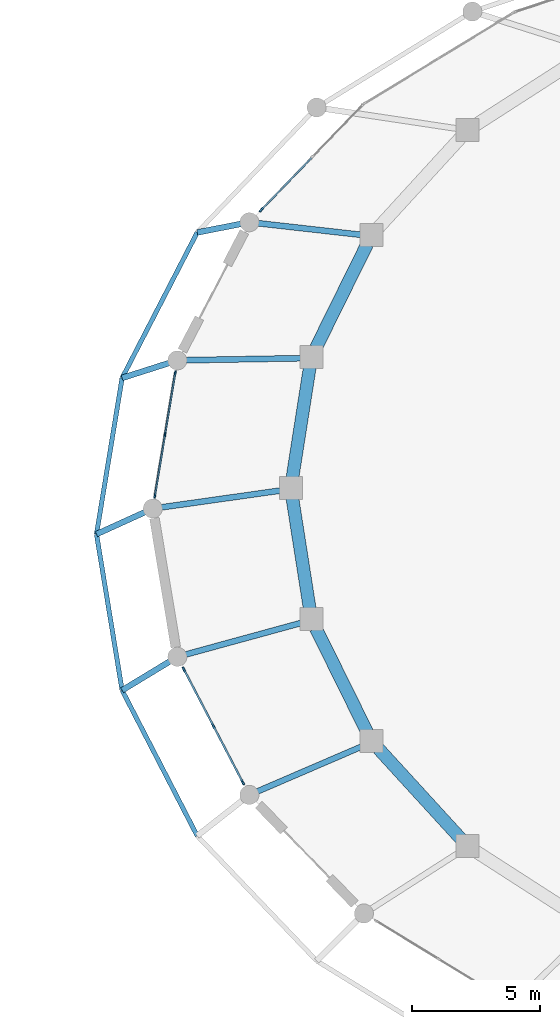
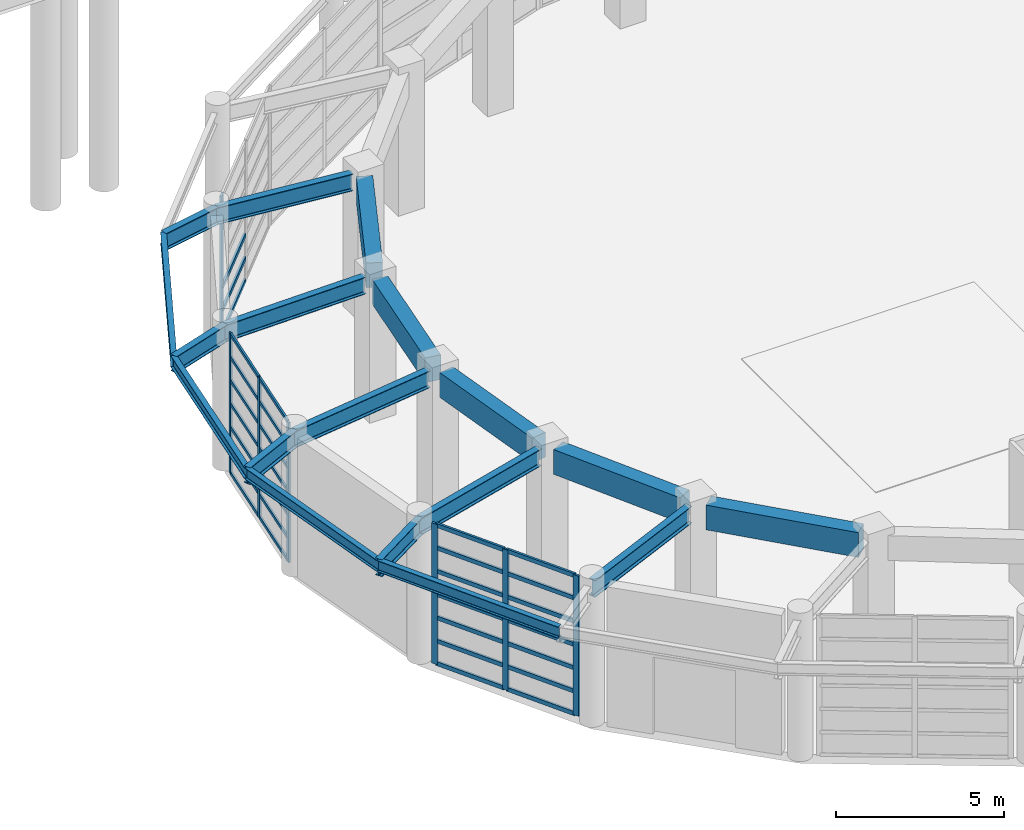
# One storey, part 5 of 52: 38 members, 18 beams, 3 elements without a shape of their own.
"""IFC4 building model written with IfcOpenShell, lengths in metres."""

from ifc_helpers import new_model, si_unit, direction, frame, origin, origin_2d, place, context, subcontext, project, spatial, rectangle, i_section, extrude, material, material_profile, profile_set, type_object, element, aggregate, save


model = new_model("IFC4")

# Units and contexts
model_context = context("Model", 3, precision=1e-05, world=origin(), true_north=direction((0.0, 1.0)))
body_context = subcontext(model_context, "Body", "Model", "MODEL_VIEW")
ifc_project = project(units=[si_unit("LENGTHUNIT", "METRE"), si_unit("AREAUNIT", "SQUARE_METRE"), si_unit("VOLUMEUNIT", "CUBIC_METRE"), si_unit("PLANEANGLEUNIT", "RADIAN"), si_unit("MASSUNIT", "GRAM", prefix="KILO")], contexts=[model_context])

# Site, building, storey
site_placement = place(None, origin())
site = spatial("IfcSite", under=ifc_project, at=site_placement, CompositionType="ELEMENT")
building_placement = place(site_placement, origin())
building = spatial("IfcBuilding", under=site, at=building_placement, Name="Parian Resonance Hall", CompositionType="ELEMENT")
storey_placement = place(building_placement, origin())
storey = spatial("IfcBuildingStorey", under=building, at=storey_placement, Name="L00", CompositionType="ELEMENT", Elevation=0.0)

# Beams
ifc_material_1 = material(Name="Concrete C40/50", Category="concrete")
ifc_material_profile_1 = material_profile(ifc_material_1, rectangle(XDim=0.5, YDim=0.89990234375, at=origin_2d()), Name="RC-BM-500x900")
ifc_profile_set_1 = profile_set([ifc_material_profile_1], Name="Concrete C40/50")
beam_type_1 = type_object("IfcBeamType", Name="BM-RC500x900", PredefinedType="USERDEFINED", material=ifc_profile_set_1)
beam_1_placement = place(storey_placement, frame((23.384765625, 53.541259765625, 4.679931640625), z_axis=(-0.442697851544, -0.896670849441, 0.0), x_axis=(0.896670849441, -0.442697851544, 0.0)))
element("IfcBeam", 1, at=beam_1_placement, inside=storey, type_object=beam_type_1, Name="Concert hall drum ring beam L00-11", ObjectType="GIRDER", PredefinedType="USERDEFINED", context=body_context, shape_type="SweptSolid", body=[
    extrude(rectangle(XDim=0.5, YDim=0.89990234375, at=origin_2d()), origin(), (0.0, 0.0, 1.0), 4.525390625),
])
for number, where, z_axis, x_axis, name in (
    (2, (21.14208984375, 48.7294921875, 4.679931640625), (-0.155033793728, -0.987909167283, 0.0), (0.987909167283, -0.155033793728, 0.0), "Concert hall drum ring beam L00-12"),
    (3, (20.4619140625, 43.604736328125, 4.679931640625), (0.155033793728, -0.987909167283, 0.0), (0.987909167283, 0.155033793728, 0.0), "Concert hall drum ring beam L00-13"),
):
    element("IfcBeam", number, at=place(storey_placement, frame(where, z_axis=z_axis, x_axis=x_axis)), inside=storey, type_object=beam_type_1, Name=name, ObjectType="GIRDER", PredefinedType="USERDEFINED", context=body_context, shape_type="SweptSolid", body=[
        extrude(rectangle(XDim=0.5, YDim=0.89990234375, at=origin_2d()), origin(), (0.0, 0.0, 1.0), 4.38720703125),
    ])
beam_2_placement = place(storey_placement, frame((21.38134765625, 38.5166015625, 4.679931640625), z_axis=(0.442697851544, -0.896670849441, 0.0), x_axis=(0.896670849441, 0.442697851544, 0.0)))
element("IfcBeam", 4, at=beam_2_placement, inside=storey, type_object=beam_type_1, Name="Concert hall drum ring beam L00-14", ObjectType="GIRDER", PredefinedType="USERDEFINED", context=body_context, shape_type="SweptSolid", body=[
    extrude(rectangle(XDim=0.5, YDim=0.89990234375, at=origin_2d()), origin(), (0.0, 0.0, 1.0), 4.525390625),
])
beam_3_placement = place(storey_placement, frame((23.831787109375, 33.8046875, 4.679931640625), z_axis=(0.674892190981, -0.737916343872, 0.0), x_axis=(0.737916343872, 0.674892190981, 0.0)))
element("IfcBeam", 5, at=beam_3_placement, inside=storey, type_object=beam_type_1, Name="Concert hall drum ring beam L00-15", ObjectType="GIRDER", PredefinedType="USERDEFINED", context=body_context, shape_type="SweptSolid", body=[
    extrude(rectangle(XDim=0.5, YDim=0.89990234375, at=origin_2d()), origin(), (0.0, 0.0, 1.0), 4.757080078125),
])
ifc_material_2 = material(Name="Steel S355", Category="steel")
ifc_material_profile_2 = material_profile(ifc_material_2, i_section(OverallWidth=0.180908203125, OverallDepth=0.4169921875, WebThickness=0.010986328125, FlangeThickness=0.018310546875, FilletRadius=0.01513671875, at=origin_2d()), Name="W410x85")
ifc_profile_set_2 = profile_set([ifc_material_profile_2], Name="Steel S355")
beam_type_2 = type_object("IfcBeamType", Name="BM-W410x85", PredefinedType="SPANDREL", material=ifc_profile_set_2)
beam_4_placement = place(storey_placement, frame((16.739013671875, 54.0, 4.92138671875), z_axis=(-0.458581750342, -0.888652225707, 0.0), x_axis=(0.888652225707, -0.458581750342, 0.0)))
element("IfcBeam", 6, at=beam_4_placement, inside=storey, type_object=beam_type_2, Name="Elliptical R1 perimeter spandrel beam 11", PredefinedType="SPANDREL", context=body_context, shape_type="SweptSolid", body=[
    extrude(i_section(OverallWidth=0.180908203125, OverallDepth=0.4169921875, WebThickness=0.010986328125, FlangeThickness=0.018310546875, FilletRadius=0.01513671875, at=origin_2d()), origin(), (0.0, 0.0, 1.0), 6.405029296875),
])
for number, where, z_axis, x_axis, name in (
    (7, (13.8017578125, 48.30810546875, 4.92138671875), (-0.161833587027, -0.986818063328, 0.0), (0.986818063328, -0.161833587027, 0.0), "Elliptical R1 perimeter spandrel beam 12"),
    (8, (12.800048828125, 42.199951171875, 4.92138671875), (0.161833587027, -0.986818063328, 0.0), (0.986818063328, 0.161833587027, 0.0), "Elliptical R1 perimeter spandrel beam 13"),
):
    element("IfcBeam", number, at=place(storey_placement, frame(where, z_axis=z_axis, x_axis=x_axis)), inside=storey, type_object=beam_type_2, Name=name, PredefinedType="SPANDREL", context=body_context, shape_type="SweptSolid", body=[
        extrude(i_section(OverallWidth=0.180908203125, OverallDepth=0.4169921875, WebThickness=0.010986328125, FlangeThickness=0.018310546875, FilletRadius=0.01513671875, at=origin_2d()), origin(), (0.0, 0.0, 1.0), 6.189697265625),
    ])
beam_5_placement = place(storey_placement, frame((13.8017578125, 36.091796875, 4.92138671875), z_axis=(0.458581750342, -0.888652225707, 0.0), x_axis=(0.888652225707, 0.458581750342, 0.0)))
element("IfcBeam", 9, at=beam_5_placement, inside=storey, type_object=beam_type_2, Name="Elliptical R1 perimeter spandrel beam 14", PredefinedType="SPANDREL", context=body_context, shape_type="SweptSolid", body=[
    extrude(i_section(OverallWidth=0.180908203125, OverallDepth=0.4169921875, WebThickness=0.010986328125, FlangeThickness=0.018310546875, FilletRadius=0.01513671875, at=origin_2d()), origin(), (0.0, 0.0, 1.0), 6.405029296875),
])
ifc_material_3 = material(Name="Steel S355", Category="steel")
ifc_material_profile_3 = material_profile(ifc_material_3, i_section(OverallWidth=0.22998046875, OverallDepth=0.616943359375, WebThickness=0.01318359375, FlangeThickness=0.022216796875, FilletRadius=0.017822265625, at=origin_2d()), Name="W610x140")
ifc_profile_set_3 = profile_set([ifc_material_profile_3], Name="Steel S355")
beam_type_3 = type_object("IfcBeamType", Name="CG1 W610x140", PredefinedType="USERDEFINED", material=ifc_profile_set_3)
beam_6_placement = place(storey_placement, frame((23.161865234375, 53.906005859375, 4.821533203125), z_axis=(-0.993713166145, 0.111955988812, 0.0), x_axis=(-0.111955988812, -0.993713166145, 0.0)))
element("IfcBeam", 10, at=beam_6_placement, inside=storey, type_object=beam_type_3, Name="Radial ring back-span girder R1-11", ObjectType="GIRDER", PredefinedType="USERDEFINED", context=body_context, shape_type="SweptSolid", body=[
    extrude(i_section(OverallWidth=0.22998046875, OverallDepth=0.616943359375, WebThickness=0.01318359375, FlangeThickness=0.022216796875, FilletRadius=0.017822265625, at=origin_2d()), origin(), (0.0, 0.0, 1.0), 4.41162109375),
])
beam_7_placement = place(storey_placement, frame((18.778076171875, 54.39990234375, 4.821533203125), z_axis=(-0.981305918863, -0.19245439357, 0.0), x_axis=(0.19245439357, -0.981305918863, 0.0)))
element("IfcBeam", 11, at=beam_7_placement, inside=storey, type_object=beam_type_3, Name="Radial ring cantilever girder R1-11", ObjectType="GIRDER", PredefinedType="USERDEFINED", context=body_context, shape_type="SweptSolid", body=[
    extrude(i_section(OverallWidth=0.22998046875, OverallDepth=0.616943359375, WebThickness=0.01318359375, FlangeThickness=0.022216796875, FilletRadius=0.017822265625, at=origin_2d()), origin(), (0.0, 0.0, 1.0), 2.077880859375),
])
beam_8_placement = place(storey_placement, frame((20.806640625, 49.080810546875, 4.821533203125), z_axis=(-0.999852446631, -0.017178037299, 0.0), x_axis=(0.017178037299, -0.999852446631, 0.0)))
element("IfcBeam", 12, at=beam_8_placement, inside=storey, type_object=beam_type_3, Name="Radial ring back-span girder R1-12", ObjectType="GIRDER", PredefinedType="USERDEFINED", context=body_context, shape_type="SweptSolid", body=[
    extrude(i_section(OverallWidth=0.22998046875, OverallDepth=0.616943359375, WebThickness=0.01318359375, FlangeThickness=0.022216796875, FilletRadius=0.017822265625, at=origin_2d()), origin(), (0.0, 0.0, 1.0), 4.846435546875),
])
beam_9_placement = place(storey_placement, frame((15.9609375, 48.99755859375, 4.821533203125), z_axis=(-0.952614062144, -0.304181604647, 0.0), x_axis=(0.304181604647, -0.952614062144, 0.0)))
element("IfcBeam", 13, at=beam_9_placement, inside=storey, type_object=beam_type_3, Name="Radial ring cantilever girder R1-12", ObjectType="GIRDER", PredefinedType="USERDEFINED", context=body_context, shape_type="SweptSolid", body=[
    extrude(i_section(OverallWidth=0.22998046875, OverallDepth=0.616943359375, WebThickness=0.01318359375, FlangeThickness=0.022216796875, FilletRadius=0.017822265625, at=origin_2d()), origin(), (0.0, 0.0, 1.0), 2.2666015625),
])
beam_10_placement = place(storey_placement, frame((20.0107421875, 43.90771484375, 4.821533203125), z_axis=(-0.990171153969, -0.13986095183, 0.0), x_axis=(0.13986095183, -0.990171153969, 0.0)))
element("IfcBeam", 14, at=beam_10_placement, inside=storey, type_object=beam_type_3, Name="Radial ring back-span girder R1-13", ObjectType="GIRDER", PredefinedType="USERDEFINED", context=body_context, shape_type="SweptSolid", body=[
    extrude(i_section(OverallWidth=0.22998046875, OverallDepth=0.616943359375, WebThickness=0.01318359375, FlangeThickness=0.022216796875, FilletRadius=0.017822265625, at=origin_2d()), origin(), (0.0, 0.0, 1.0), 5.060546875),
])
beam_11_placement = place(storey_placement, frame((15.0, 43.199951171875, 4.821533203125), z_axis=(-0.910363017569, -0.413810555983, 0.0), x_axis=(0.413810555983, -0.910363017569, 0.0)))
element("IfcBeam", 15, at=beam_11_placement, inside=storey, type_object=beam_type_3, Name="Radial ring cantilever girder R1-13", ObjectType="GIRDER", PredefinedType="USERDEFINED", context=body_context, shape_type="SweptSolid", body=[
    extrude(i_section(OverallWidth=0.22998046875, OverallDepth=0.616943359375, WebThickness=0.01318359375, FlangeThickness=0.022216796875, FilletRadius=0.017822265625, at=origin_2d()), origin(), (0.0, 0.0, 1.0), 2.41650390625),
])
beam_12_placement = place(storey_placement, frame((20.829833984375, 38.734619140625, 4.821533203125), z_axis=(-0.964554801618, -0.263882615335, 0.0), x_axis=(0.263882615335, -0.964554801618, 0.0)))
element("IfcBeam", 16, at=beam_12_placement, inside=storey, type_object=beam_type_3, Name="Radial ring back-span girder R1-14", ObjectType="GIRDER", PredefinedType="USERDEFINED", context=body_context, shape_type="SweptSolid", body=[
    extrude(i_section(OverallWidth=0.22998046875, OverallDepth=0.616943359375, WebThickness=0.01318359375, FlangeThickness=0.022216796875, FilletRadius=0.017822265625, at=origin_2d()), origin(), (0.0, 0.0, 1.0), 5.0478515625),
])
beam_13_placement = place(storey_placement, frame((15.9609375, 37.402587890625, 4.821533203125), z_axis=(-0.854812015678, -0.518937778401, 0.0), x_axis=(0.518937778401, -0.854812015678, 0.0)))
element("IfcBeam", 17, at=beam_13_placement, inside=storey, type_object=beam_type_3, Name="Radial ring cantilever girder R1-14", ObjectType="GIRDER", PredefinedType="USERDEFINED", context=body_context, shape_type="SweptSolid", body=[
    extrude(i_section(OverallWidth=0.22998046875, OverallDepth=0.616943359375, WebThickness=0.01318359375, FlangeThickness=0.022216796875, FilletRadius=0.017822265625, at=origin_2d()), origin(), (0.0, 0.0, 1.0), 2.52587890625),
])
beam_14_placement = place(storey_placement, frame((23.210205078125, 33.9091796875, 4.821533203125), z_axis=(-0.918416009336, -0.395616018123, 0.0), x_axis=(0.395616018123, -0.918416009336, 0.0)))
element("IfcBeam", 18, at=beam_14_placement, inside=storey, type_object=beam_type_3, Name="Radial ring back-span girder R1-15", ObjectType="GIRDER", PredefinedType="USERDEFINED", context=body_context, shape_type="SweptSolid", body=[
    extrude(i_section(OverallWidth=0.22998046875, OverallDepth=0.616943359375, WebThickness=0.01318359375, FlangeThickness=0.022216796875, FilletRadius=0.017822265625, at=origin_2d()), origin(), (0.0, 0.0, 1.0), 4.825927734375),
])

# Curtain wall, members
ifc_material_4 = material(Name="Bronze-anodised aluminium frame", Category="aluminium")
curtain_wall_type_1 = type_object("IfcCurtainWallType", Name="CW-SYS-06", PredefinedType="NOTDEFINED", material=ifc_material_4)
curtain_wall_1_placement = place(storey_placement, origin())
curtain_wall_1 = element("IfcCurtainWall", 19, at=curtain_wall_1_placement, inside=storey, type_object=curtain_wall_type_1, Name="Grand foyer recessed base curtain wall 12", PredefinedType="NOTDEFINED")
ifc_material_5 = material(Name="Bronze-anodised aluminium frame", Category="aluminium")
ifc_material_profile_4 = material_profile(ifc_material_5, rectangle(XDim=0.06494140625, YDim=0.159912109375, at=origin_2d()), Name="CWM-65x160")
ifc_profile_set_4 = profile_set([ifc_material_profile_4], Name="Bronze-anodised aluminium frame")
member_type_1 = type_object("IfcMemberType", Name="CWM-65x160", PredefinedType="MULLION", material=ifc_profile_set_4)
member_1_placement = place(storey_placement, frame((15.080810546875, 43.68701171875, -0.008056640625), z_axis=(0.0, 0.0, 1.0), x_axis=(-0.986540281014, 0.163518420789, 0.0)))
member_1 = element("IfcMember", 20, at=member_1_placement, type_object=member_type_1, Name="CW-06 mullion 1", PredefinedType="MULLION", context=body_context, shape_type="SweptSolid", body=[
    extrude(rectangle(XDim=0.06494140625, YDim=0.159912109375, at=origin_2d()), origin(), (0.0, 0.0, 1.0), 5.09814453125),
])
member_2_placement = place(storey_placement, frame((15.48046875, 46.0986328125, -0.008056640625), z_axis=(0.0, 0.0, 1.0), x_axis=(-0.986540281014, 0.163518420789, 0.0)))
member_2 = element("IfcMember", 21, at=member_2_placement, type_object=member_type_1, Name="CW-06 mullion 2", PredefinedType="MULLION", context=body_context, shape_type="SweptSolid", body=[
    extrude(rectangle(XDim=0.06494140625, YDim=0.159912109375, at=origin_2d()), origin(), (0.0, 0.0, 1.0), 5.09814453125),
])
member_3_placement = place(storey_placement, frame((15.880126953125, 48.510498046875, -0.008056640625), z_axis=(0.0, 0.0, 1.0), x_axis=(-0.986540281014, 0.163518420789, 0.0)))
member_3 = element("IfcMember", 22, at=member_3_placement, type_object=member_type_1, Name="CW-06 mullion 3", PredefinedType="MULLION", context=body_context, shape_type="SweptSolid", body=[
    extrude(rectangle(XDim=0.06494140625, YDim=0.159912109375, at=origin_2d()), origin(), (0.0, 0.0, 1.0), 5.09814453125),
])

# Curtain wall, member
ifc_material_6 = material(Name="Bronze-anodised aluminium frame", Category="aluminium")
curtain_wall_type_2 = type_object("IfcCurtainWallType", Name="CW-SYS-04", PredefinedType="NOTDEFINED", material=ifc_material_6)
curtain_wall_2_placement = place(storey_placement, origin())
curtain_wall_2 = element("IfcCurtainWall", 23, at=curtain_wall_2_placement, inside=storey, type_object=curtain_wall_type_2, Name="Grand foyer recessed base curtain wall 10", PredefinedType="NOTDEFINED")
ifc_material_7 = material(Name="Bronze-anodised aluminium frame", Category="aluminium")
ifc_material_profile_5 = material_profile(ifc_material_7, rectangle(XDim=0.074951171875, YDim=0.199951171875, at=origin_2d()), Name="CWM-75x200")
ifc_profile_set_5 = profile_set([ifc_material_profile_5], Name="Bronze-anodised aluminium frame")
member_type_2 = type_object("IfcMemberType", Name="CWM-75x200", PredefinedType="MULLION", material=ifc_profile_set_5)
member_4_placement = place(storey_placement, frame((19.24365234375, 54.882080078125, -0.008056640625), z_axis=(0.0, 0.0, 1.0), x_axis=(-0.719222544122, 0.694779772322, 0.0)))
member_4 = element("IfcMember", 24, at=member_4_placement, type_object=member_type_2, Name="CW-04 mullion 1", PredefinedType="MULLION", context=body_context, shape_type="SweptSolid", body=[
    extrude(rectangle(XDim=0.074951171875, YDim=0.199951171875, at=origin_2d()), origin(), (0.0, 0.0, 1.0), 5.09814453125),
])

# Curtain wall, members
ifc_material_8 = material(Name="Bronze-anodised aluminium frame", Category="aluminium")
curtain_wall_type_3 = type_object("IfcCurtainWallType", Name="CW-SYS-02", PredefinedType="NOTDEFINED", material=ifc_material_8)
curtain_wall_3_placement = place(storey_placement, origin())
curtain_wall_3 = element("IfcCurtainWall", 25, at=curtain_wall_3_placement, inside=storey, type_object=curtain_wall_type_3, Name="Grand foyer recessed base curtain wall 14", PredefinedType="NOTDEFINED")
member_5_placement = place(storey_placement, frame((18.5234375, 32.48828125, -0.008056640625), z_axis=(0.0, 0.0, 1.0), x_axis=(-0.886691104192, -0.462362288414, 0.0)))
member_5 = element("IfcMember", 26, at=member_5_placement, type_object=member_type_2, Name="CW-02 mullion 1", PredefinedType="MULLION", context=body_context, shape_type="SweptSolid", body=[
    extrude(rectangle(XDim=0.074951171875, YDim=0.199951171875, at=origin_2d()), origin(), (0.0, 0.0, 1.0), 5.09814453125),
])
member_6_placement = place(storey_placement, frame((17.369384765625, 34.701171875, -0.008056640625), z_axis=(0.0, 0.0, 1.0), x_axis=(-0.886691104192, -0.462362288414, 0.0)))
member_6 = element("IfcMember", 27, at=member_6_placement, type_object=member_type_2, Name="CW-02 mullion 2", PredefinedType="MULLION", context=body_context, shape_type="SweptSolid", body=[
    extrude(rectangle(XDim=0.074951171875, YDim=0.199951171875, at=origin_2d()), origin(), (0.0, 0.0, 1.0), 5.09814453125),
])
member_7_placement = place(storey_placement, frame((16.215576171875, 36.914306640625, -0.008056640625), z_axis=(0.0, 0.0, 1.0), x_axis=(-0.886691104192, -0.462362288414, 0.0)))
member_7 = element("IfcMember", 28, at=member_7_placement, type_object=member_type_2, Name="CW-02 mullion 3", PredefinedType="MULLION", context=body_context, shape_type="SweptSolid", body=[
    extrude(rectangle(XDim=0.074951171875, YDim=0.199951171875, at=origin_2d()), origin(), (0.0, 0.0, 1.0), 5.09814453125),
])

# Member
ifc_material_9 = material(Name="Bronze-anodised aluminium frame", Category="aluminium")
ifc_material_profile_6 = material_profile(ifc_material_9, rectangle(XDim=0.06494140625, YDim=0.1201171875, at=origin_2d()), Name="CWT-65x120")
ifc_profile_set_6 = profile_set([ifc_material_profile_6], Name="Bronze-anodised aluminium frame")
member_type_3 = type_object("IfcMemberType", Name="CWT-65x120", PredefinedType="USERDEFINED", material=ifc_profile_set_6)
member_8_placement = place(storey_placement, frame((15.0859375, 43.71923828125, 0.0244140625), z_axis=(0.163550365791, 0.986534985619, 0.0), x_axis=(-0.986534985619, 0.163550365791, 0.0)))
member_8 = element("IfcMember", 29, at=member_8_placement, type_object=member_type_3, Name="CW-06 transom 1.1", ObjectType="TRANSOM", PredefinedType="USERDEFINED", context=body_context, shape_type="SweptSolid", body=[
    extrude(rectangle(XDim=0.06494140625, YDim=0.1201171875, at=origin_2d()), origin(), (0.0, 0.0, 1.0), 2.37939453125),
])

member_9_placement = place(storey_placement, frame((15.0859375, 43.71923828125, 0.8466796875), z_axis=(0.163550365791, 0.986534985619, 0.0), x_axis=(-0.986534985619, 0.163550365791, 0.0)))
member_9 = element("IfcMember", 30, at=member_9_placement, type_object=member_type_3, Name="CW-06 transom 1.2", ObjectType="TRANSOM", PredefinedType="USERDEFINED", context=body_context, shape_type="SweptSolid", body=[
    extrude(rectangle(XDim=0.06494140625, YDim=0.1201171875, at=origin_2d()), origin(), (0.0, 0.0, 1.0), 2.37939453125),
])

member_10_placement = place(storey_placement, frame((15.0859375, 43.71923828125, 1.693359375), z_axis=(0.163550365791, 0.986534985619, 0.0), x_axis=(-0.986534985619, 0.163550365791, 0.0)))
member_10 = element("IfcMember", 31, at=member_10_placement, type_object=member_type_3, Name="CW-06 transom 1.3", ObjectType="TRANSOM", PredefinedType="USERDEFINED", context=body_context, shape_type="SweptSolid", body=[
    extrude(rectangle(XDim=0.06494140625, YDim=0.1201171875, at=origin_2d()), origin(), (0.0, 0.0, 1.0), 2.37939453125),
])

member_11_placement = place(storey_placement, frame((15.0859375, 43.71923828125, 2.5400390625), z_axis=(0.163550365791, 0.986534985619, 0.0), x_axis=(-0.986534985619, 0.163550365791, 0.0)))
member_11 = element("IfcMember", 32, at=member_11_placement, type_object=member_type_3, Name="CW-06 transom 1.4", ObjectType="TRANSOM", PredefinedType="USERDEFINED", context=body_context, shape_type="SweptSolid", body=[
    extrude(rectangle(XDim=0.06494140625, YDim=0.1201171875, at=origin_2d()), origin(), (0.0, 0.0, 1.0), 2.37939453125),
])

member_12_placement = place(storey_placement, frame((15.0859375, 43.71923828125, 3.38671875), z_axis=(0.163550365791, 0.986534985619, 0.0), x_axis=(-0.986534985619, 0.163550365791, 0.0)))
member_12 = element("IfcMember", 33, at=member_12_placement, type_object=member_type_3, Name="CW-06 transom 1.5", ObjectType="TRANSOM", PredefinedType="USERDEFINED", context=body_context, shape_type="SweptSolid", body=[
    extrude(rectangle(XDim=0.06494140625, YDim=0.1201171875, at=origin_2d()), origin(), (0.0, 0.0, 1.0), 2.37939453125),
])

member_13_placement = place(storey_placement, frame((15.0859375, 43.71923828125, 4.2333984375), z_axis=(0.163550365791, 0.986534985619, 0.0), x_axis=(-0.986534985619, 0.163550365791, 0.0)))
member_13 = element("IfcMember", 34, at=member_13_placement, type_object=member_type_3, Name="CW-06 transom 1.6", ObjectType="TRANSOM", PredefinedType="USERDEFINED", context=body_context, shape_type="SweptSolid", body=[
    extrude(rectangle(XDim=0.06494140625, YDim=0.1201171875, at=origin_2d()), origin(), (0.0, 0.0, 1.0), 2.37939453125),
])

member_14_placement = place(storey_placement, frame((15.0859375, 43.71923828125, 5.0576171875), z_axis=(0.163550365791, 0.986534985619, 0.0), x_axis=(-0.986534985619, 0.163550365791, 0.0)))
member_14 = element("IfcMember", 35, at=member_14_placement, type_object=member_type_3, Name="CW-06 transom 1.7", ObjectType="TRANSOM", PredefinedType="USERDEFINED", context=body_context, shape_type="SweptSolid", body=[
    extrude(rectangle(XDim=0.06494140625, YDim=0.1201171875, at=origin_2d()), origin(), (0.0, 0.0, 1.0), 2.37939453125),
])

member_15_placement = place(storey_placement, frame((15.48583984375, 46.130859375, 0.0244140625), z_axis=(0.163450504054, 0.986551535767, 0.0), x_axis=(-0.986551535767, 0.163450504054, 0.0)))
member_15 = element("IfcMember", 36, at=member_15_placement, type_object=member_type_3, Name="CW-06 transom 2.1", ObjectType="TRANSOM", PredefinedType="USERDEFINED", context=body_context, shape_type="SweptSolid", body=[
    extrude(rectangle(XDim=0.06494140625, YDim=0.1201171875, at=origin_2d()), origin(), (0.0, 0.0, 1.0), 2.37939453125),
])

member_16_placement = place(storey_placement, frame((15.48583984375, 46.130859375, 0.8466796875), z_axis=(0.163450504054, 0.986551535767, 0.0), x_axis=(-0.986551535767, 0.163450504054, 0.0)))
member_16 = element("IfcMember", 37, at=member_16_placement, type_object=member_type_3, Name="CW-06 transom 2.2", ObjectType="TRANSOM", PredefinedType="USERDEFINED", context=body_context, shape_type="SweptSolid", body=[
    extrude(rectangle(XDim=0.06494140625, YDim=0.1201171875, at=origin_2d()), origin(), (0.0, 0.0, 1.0), 2.37939453125),
])

member_17_placement = place(storey_placement, frame((15.48583984375, 46.130859375, 1.693359375), z_axis=(0.163450504054, 0.986551535767, 0.0), x_axis=(-0.986551535767, 0.163450504054, 0.0)))
member_17 = element("IfcMember", 38, at=member_17_placement, type_object=member_type_3, Name="CW-06 transom 2.3", ObjectType="TRANSOM", PredefinedType="USERDEFINED", context=body_context, shape_type="SweptSolid", body=[
    extrude(rectangle(XDim=0.06494140625, YDim=0.1201171875, at=origin_2d()), origin(), (0.0, 0.0, 1.0), 2.37939453125),
])

member_18_placement = place(storey_placement, frame((15.48583984375, 46.130859375, 2.5400390625), z_axis=(0.163450504054, 0.986551535767, 0.0), x_axis=(-0.986551535767, 0.163450504054, 0.0)))
member_18 = element("IfcMember", 39, at=member_18_placement, type_object=member_type_3, Name="CW-06 transom 2.4", ObjectType="TRANSOM", PredefinedType="USERDEFINED", context=body_context, shape_type="SweptSolid", body=[
    extrude(rectangle(XDim=0.06494140625, YDim=0.1201171875, at=origin_2d()), origin(), (0.0, 0.0, 1.0), 2.37939453125),
])

member_19_placement = place(storey_placement, frame((15.48583984375, 46.130859375, 3.38671875), z_axis=(0.163450504054, 0.986551535767, 0.0), x_axis=(-0.986551535767, 0.163450504054, 0.0)))
member_19 = element("IfcMember", 40, at=member_19_placement, type_object=member_type_3, Name="CW-06 transom 2.5", ObjectType="TRANSOM", PredefinedType="USERDEFINED", context=body_context, shape_type="SweptSolid", body=[
    extrude(rectangle(XDim=0.06494140625, YDim=0.1201171875, at=origin_2d()), origin(), (0.0, 0.0, 1.0), 2.37939453125),
])

member_20_placement = place(storey_placement, frame((15.48583984375, 46.130859375, 4.2333984375), z_axis=(0.163450504054, 0.986551535767, 0.0), x_axis=(-0.986551535767, 0.163450504054, 0.0)))
member_20 = element("IfcMember", 41, at=member_20_placement, type_object=member_type_3, Name="CW-06 transom 2.6", ObjectType="TRANSOM", PredefinedType="USERDEFINED", context=body_context, shape_type="SweptSolid", body=[
    extrude(rectangle(XDim=0.06494140625, YDim=0.1201171875, at=origin_2d()), origin(), (0.0, 0.0, 1.0), 2.37939453125),
])

member_21_placement = place(storey_placement, frame((15.48583984375, 46.130859375, 5.0576171875), z_axis=(0.163450504054, 0.986551535767, 0.0), x_axis=(-0.986551535767, 0.163450504054, 0.0)))
member_21 = element("IfcMember", 42, at=member_21_placement, type_object=member_type_3, Name="CW-06 transom 2.7", ObjectType="TRANSOM", PredefinedType="USERDEFINED", context=body_context, shape_type="SweptSolid", body=[
    extrude(rectangle(XDim=0.06494140625, YDim=0.1201171875, at=origin_2d()), origin(), (0.0, 0.0, 1.0), 2.37939453125),
])

aggregate(curtain_wall_1, [member_1, member_2, member_3, member_8, member_9, member_10, member_11, member_12, member_13, member_14, member_15, member_16, member_17, member_18, member_19, member_20, member_21])

ifc_material_10 = material(Name="Bronze-anodised aluminium frame", Category="aluminium")
ifc_material_profile_7 = material_profile(ifc_material_10, rectangle(XDim=0.074951171875, YDim=0.14990234375, at=origin_2d()), Name="CWT-75x150")
ifc_profile_set_7 = profile_set([ifc_material_profile_7], Name="Bronze-anodised aluminium frame")
member_type_4 = type_object("IfcMemberType", Name="CWT-75x150", PredefinedType="USERDEFINED", material=ifc_profile_set_7)
member_22_placement = place(storey_placement, frame((19.269775390625, 54.908935546875, 0.029541015625), z_axis=(0.694778343279, 0.719223924596, 0.0), x_axis=(-0.719223924596, 0.694778343279, 0.0)))
member_22 = element("IfcMember", 43, at=member_22_placement, type_object=member_type_4, Name="CW-04 transom 1.1", ObjectType="TRANSOM", PredefinedType="USERDEFINED", context=body_context, shape_type="SweptSolid", body=[
    extrude(rectangle(XDim=0.074951171875, YDim=0.14990234375, at=origin_2d()), origin(), (0.0, 0.0, 1.0), 2.79638671875),
])

member_23_placement = place(storey_placement, frame((19.269775390625, 54.908935546875, 0.8466796875), z_axis=(0.694778343279, 0.719223924596, 0.0), x_axis=(-0.719223924596, 0.694778343279, 0.0)))
member_23 = element("IfcMember", 44, at=member_23_placement, type_object=member_type_4, Name="CW-04 transom 1.2", ObjectType="TRANSOM", PredefinedType="USERDEFINED", context=body_context, shape_type="SweptSolid", body=[
    extrude(rectangle(XDim=0.074951171875, YDim=0.14990234375, at=origin_2d()), origin(), (0.0, 0.0, 1.0), 2.79638671875),
])

member_24_placement = place(storey_placement, frame((19.269775390625, 54.908935546875, 1.693359375), z_axis=(0.694778343279, 0.719223924596, 0.0), x_axis=(-0.719223924596, 0.694778343279, 0.0)))
member_24 = element("IfcMember", 45, at=member_24_placement, type_object=member_type_4, Name="CW-04 transom 1.3", ObjectType="TRANSOM", PredefinedType="USERDEFINED", context=body_context, shape_type="SweptSolid", body=[
    extrude(rectangle(XDim=0.074951171875, YDim=0.14990234375, at=origin_2d()), origin(), (0.0, 0.0, 1.0), 2.79638671875),
])

aggregate(curtain_wall_2, [member_4, member_22, member_23, member_24])

member_25_placement = place(storey_placement, frame((18.506103515625, 32.521484375, 0.029541015625), z_axis=(-0.462397115811, 0.886672942685, 0.0), x_axis=(-0.886672942685, -0.462397115811, 0.0)))
member_25 = element("IfcMember", 46, at=member_25_placement, type_object=member_type_4, Name="CW-02 transom 1.1", ObjectType="TRANSOM", PredefinedType="USERDEFINED", context=body_context, shape_type="SweptSolid", body=[
    extrude(rectangle(XDim=0.074951171875, YDim=0.14990234375, at=origin_2d()), origin(), (0.0, 0.0, 1.0), 2.4208984375),
])

member_26_placement = place(storey_placement, frame((18.506103515625, 32.521484375, 0.8466796875), z_axis=(-0.462397115811, 0.886672942685, 0.0), x_axis=(-0.886672942685, -0.462397115811, 0.0)))
member_26 = element("IfcMember", 47, at=member_26_placement, type_object=member_type_4, Name="CW-02 transom 1.2", ObjectType="TRANSOM", PredefinedType="USERDEFINED", context=body_context, shape_type="SweptSolid", body=[
    extrude(rectangle(XDim=0.074951171875, YDim=0.14990234375, at=origin_2d()), origin(), (0.0, 0.0, 1.0), 2.4208984375),
])

member_27_placement = place(storey_placement, frame((18.506103515625, 32.521484375, 1.693359375), z_axis=(-0.462397115811, 0.886672942685, 0.0), x_axis=(-0.886672942685, -0.462397115811, 0.0)))
member_27 = element("IfcMember", 48, at=member_27_placement, type_object=member_type_4, Name="CW-02 transom 1.3", ObjectType="TRANSOM", PredefinedType="USERDEFINED", context=body_context, shape_type="SweptSolid", body=[
    extrude(rectangle(XDim=0.074951171875, YDim=0.14990234375, at=origin_2d()), origin(), (0.0, 0.0, 1.0), 2.4208984375),
])

member_28_placement = place(storey_placement, frame((18.506103515625, 32.521484375, 2.5400390625), z_axis=(-0.462397115811, 0.886672942685, 0.0), x_axis=(-0.886672942685, -0.462397115811, 0.0)))
member_28 = element("IfcMember", 49, at=member_28_placement, type_object=member_type_4, Name="CW-02 transom 1.4", ObjectType="TRANSOM", PredefinedType="USERDEFINED", context=body_context, shape_type="SweptSolid", body=[
    extrude(rectangle(XDim=0.074951171875, YDim=0.14990234375, at=origin_2d()), origin(), (0.0, 0.0, 1.0), 2.4208984375),
])

member_29_placement = place(storey_placement, frame((18.506103515625, 32.521484375, 3.38671875), z_axis=(-0.462397115811, 0.886672942685, 0.0), x_axis=(-0.886672942685, -0.462397115811, 0.0)))
member_29 = element("IfcMember", 50, at=member_29_placement, type_object=member_type_4, Name="CW-02 transom 1.5", ObjectType="TRANSOM", PredefinedType="USERDEFINED", context=body_context, shape_type="SweptSolid", body=[
    extrude(rectangle(XDim=0.074951171875, YDim=0.14990234375, at=origin_2d()), origin(), (0.0, 0.0, 1.0), 2.4208984375),
])

member_30_placement = place(storey_placement, frame((18.506103515625, 32.521484375, 4.2333984375), z_axis=(-0.462397115811, 0.886672942685, 0.0), x_axis=(-0.886672942685, -0.462397115811, 0.0)))
member_30 = element("IfcMember", 51, at=member_30_placement, type_object=member_type_4, Name="CW-02 transom 1.6", ObjectType="TRANSOM", PredefinedType="USERDEFINED", context=body_context, shape_type="SweptSolid", body=[
    extrude(rectangle(XDim=0.074951171875, YDim=0.14990234375, at=origin_2d()), origin(), (0.0, 0.0, 1.0), 2.4208984375),
])

member_31_placement = place(storey_placement, frame((18.506103515625, 32.521484375, 5.052490234375), z_axis=(-0.462397115811, 0.886672942685, 0.0), x_axis=(-0.886672942685, -0.462397115811, 0.0)))
member_31 = element("IfcMember", 52, at=member_31_placement, type_object=member_type_4, Name="CW-02 transom 1.7", ObjectType="TRANSOM", PredefinedType="USERDEFINED", context=body_context, shape_type="SweptSolid", body=[
    extrude(rectangle(XDim=0.074951171875, YDim=0.14990234375, at=origin_2d()), origin(), (0.0, 0.0, 1.0), 2.4208984375),
])

member_32_placement = place(storey_placement, frame((17.35205078125, 34.734619140625, 0.029541015625), z_axis=(-0.462317823137, 0.886714289053, 0.0), x_axis=(-0.886714289053, -0.462317823137, 0.0)))
member_32 = element("IfcMember", 53, at=member_32_placement, type_object=member_type_4, Name="CW-02 transom 2.1", ObjectType="TRANSOM", PredefinedType="USERDEFINED", context=body_context, shape_type="SweptSolid", body=[
    extrude(rectangle(XDim=0.074951171875, YDim=0.14990234375, at=origin_2d()), origin(), (0.0, 0.0, 1.0), 2.420654296875),
])

member_33_placement = place(storey_placement, frame((17.35205078125, 34.734619140625, 0.8466796875), z_axis=(-0.462317823137, 0.886714289053, 0.0), x_axis=(-0.886714289053, -0.462317823137, 0.0)))
member_33 = element("IfcMember", 54, at=member_33_placement, type_object=member_type_4, Name="CW-02 transom 2.2", ObjectType="TRANSOM", PredefinedType="USERDEFINED", context=body_context, shape_type="SweptSolid", body=[
    extrude(rectangle(XDim=0.074951171875, YDim=0.14990234375, at=origin_2d()), origin(), (0.0, 0.0, 1.0), 2.420654296875),
])

member_34_placement = place(storey_placement, frame((17.35205078125, 34.734619140625, 1.693359375), z_axis=(-0.462317823137, 0.886714289053, 0.0), x_axis=(-0.886714289053, -0.462317823137, 0.0)))
member_34 = element("IfcMember", 55, at=member_34_placement, type_object=member_type_4, Name="CW-02 transom 2.3", ObjectType="TRANSOM", PredefinedType="USERDEFINED", context=body_context, shape_type="SweptSolid", body=[
    extrude(rectangle(XDim=0.074951171875, YDim=0.14990234375, at=origin_2d()), origin(), (0.0, 0.0, 1.0), 2.420654296875),
])

member_35_placement = place(storey_placement, frame((17.35205078125, 34.734619140625, 2.5400390625), z_axis=(-0.462317823137, 0.886714289053, 0.0), x_axis=(-0.886714289053, -0.462317823137, 0.0)))
member_35 = element("IfcMember", 56, at=member_35_placement, type_object=member_type_4, Name="CW-02 transom 2.4", ObjectType="TRANSOM", PredefinedType="USERDEFINED", context=body_context, shape_type="SweptSolid", body=[
    extrude(rectangle(XDim=0.074951171875, YDim=0.14990234375, at=origin_2d()), origin(), (0.0, 0.0, 1.0), 2.420654296875),
])

member_36_placement = place(storey_placement, frame((17.35205078125, 34.734619140625, 3.38671875), z_axis=(-0.462317823137, 0.886714289053, 0.0), x_axis=(-0.886714289053, -0.462317823137, 0.0)))
member_36 = element("IfcMember", 57, at=member_36_placement, type_object=member_type_4, Name="CW-02 transom 2.5", ObjectType="TRANSOM", PredefinedType="USERDEFINED", context=body_context, shape_type="SweptSolid", body=[
    extrude(rectangle(XDim=0.074951171875, YDim=0.14990234375, at=origin_2d()), origin(), (0.0, 0.0, 1.0), 2.420654296875),
])

member_37_placement = place(storey_placement, frame((17.35205078125, 34.734619140625, 4.2333984375), z_axis=(-0.462317823137, 0.886714289053, 0.0), x_axis=(-0.886714289053, -0.462317823137, 0.0)))
member_37 = element("IfcMember", 58, at=member_37_placement, type_object=member_type_4, Name="CW-02 transom 2.6", ObjectType="TRANSOM", PredefinedType="USERDEFINED", context=body_context, shape_type="SweptSolid", body=[
    extrude(rectangle(XDim=0.074951171875, YDim=0.14990234375, at=origin_2d()), origin(), (0.0, 0.0, 1.0), 2.420654296875),
])

member_38_placement = place(storey_placement, frame((17.35205078125, 34.734619140625, 5.052490234375), z_axis=(-0.462317823137, 0.886714289053, 0.0), x_axis=(-0.886714289053, -0.462317823137, 0.0)))
member_38 = element("IfcMember", 59, at=member_38_placement, type_object=member_type_4, Name="CW-02 transom 2.7", ObjectType="TRANSOM", PredefinedType="USERDEFINED", context=body_context, shape_type="SweptSolid", body=[
    extrude(rectangle(XDim=0.074951171875, YDim=0.14990234375, at=origin_2d()), origin(), (0.0, 0.0, 1.0), 2.420654296875),
])

aggregate(curtain_wall_3, [member_5, member_6, member_7, member_25, member_26, member_27, member_28, member_29, member_30, member_31, member_32, member_33, member_34, member_35, member_36, member_37, member_38])

save(model, "model.ifc")
